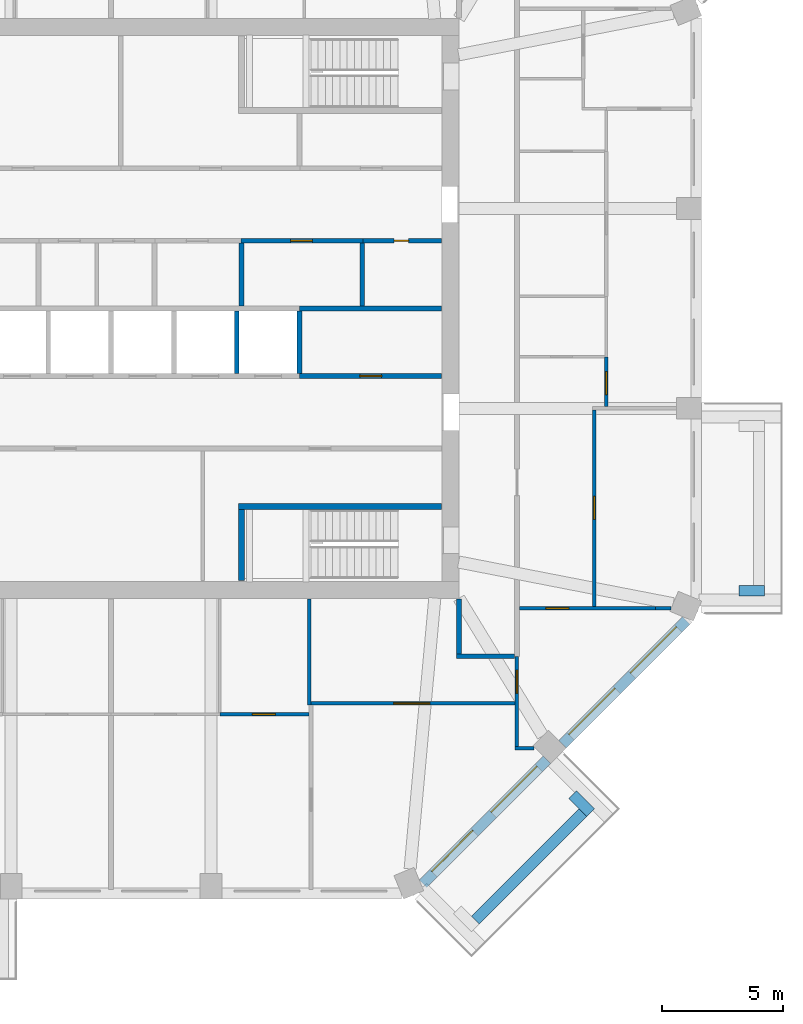
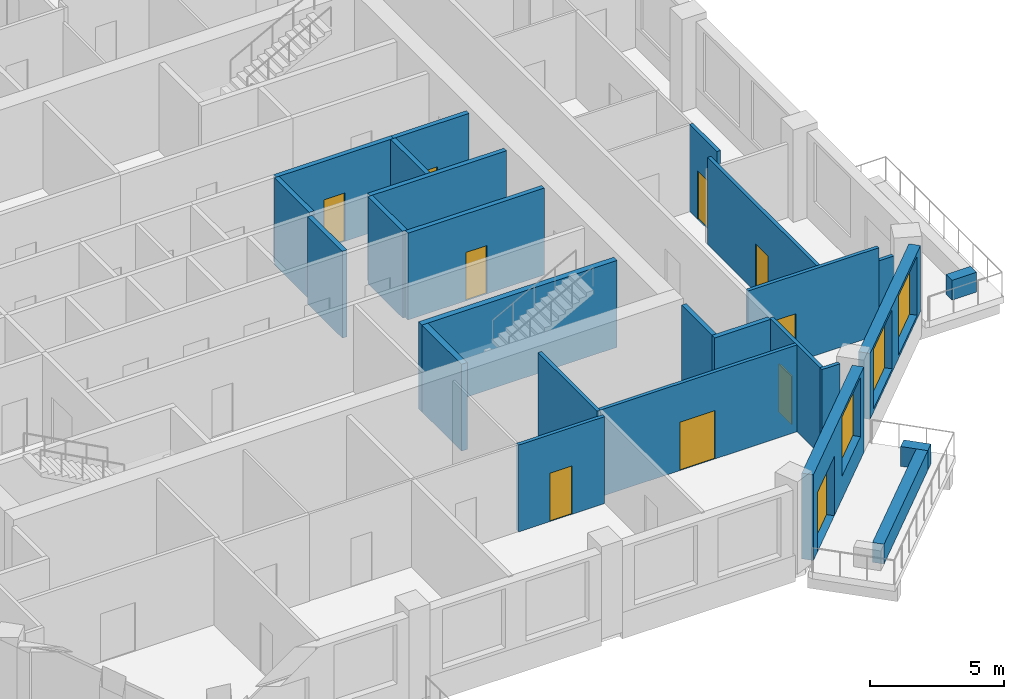
# One storey, part 5 of 10: 26 walls, 10 doors, 3 windows, 13 openings.
"""IFC4 building model written with IfcOpenShell, lengths in metres."""

from ifc_helpers import new_model, si_unit, direction, frame, frame_2d, origin, place, context, subcontext, project, spatial, rectangle, extrude, material, layer, layer_set, type_object, element, fill, save


model = new_model("IFC4")

# Units and contexts
model_context = context("Model", 3, precision=1e-05, world=origin(), true_north=direction((0.0, 1.0)))
body_context = subcontext(model_context, "Body", "Model", "MODEL_VIEW")
ifc_project = project(units=[si_unit("LENGTHUNIT", "METRE"), si_unit("AREAUNIT", "SQUARE_METRE"), si_unit("VOLUMEUNIT", "CUBIC_METRE"), si_unit("PLANEANGLEUNIT", "RADIAN"), si_unit("MASSUNIT", "GRAM", prefix="KILO")], contexts=[model_context])

# Site, building, storey
site_placement = place(None, origin())
site = spatial("IfcSite", under=ifc_project, at=site_placement, CompositionType="ELEMENT")
building_placement = place(site_placement, origin())
building = spatial("IfcBuilding", under=site, at=building_placement, Name="Msitu Wima Residences", CompositionType="ELEMENT")
storey_placement = place(building_placement, frame((0.0, 0.0, 191.699951171875)))
storey = spatial("IfcBuildingStorey", under=building, at=storey_placement, Name="L44", CompositionType="ELEMENT", Elevation=191.699951171875)

# Walls
ifc_material_1 = material(Name="Facing brick")
ifc_layer_1 = layer(ifc_material_1, 0.06494140625, Name="Facing brick")
ifc_material_2 = material(Name="Concrete C40/50", Category="concrete")
ifc_layer_2 = layer(ifc_material_2, 0.156005859375, Name="Concrete C40/50")
ifc_material_3 = material(Name="Waterproofing membrane")
ifc_layer_3 = layer(ifc_material_3, 0.00390625, Name="Waterproofing membrane")
ifc_material_4 = material(Name="Planting soil and planting")
ifc_layer_4 = layer(ifc_material_4, 0.22509765625, Name="Planting soil and planting")
ifc_layer_set_1 = layer_set([ifc_layer_1, ifc_layer_2, ifc_layer_3, ifc_layer_4], Name="Concrete C40/50")
wall_type_1 = type_object("IfcWallType", Name="Balcony planter PLANTER PL450", PredefinedType="USERDEFINED", material=ifc_layer_set_1)
wall_1_placement = place(storey_placement, frame((26.0, -11.686767578125, 0.0), z_axis=(0.0, 0.0, 1.0), x_axis=(1.0, 0.0, 0.0)))
element("IfcWall", 1, at=wall_1_placement, inside=storey, type_object=wall_type_1, Name="Balcony planter E0 L44", ObjectType="PLANTER", PredefinedType="USERDEFINED", context=body_context, shape_type="SweptSolid", body=[
    extrude(rectangle(XDim=1.050048828125, YDim=0.449951171875, at=frame_2d((0.52490234375, 0.0))), origin(), (0.0, 0.0, 1.0), 0.900146484375),
])
wall_2_placement = place(storey_placement, frame((15.0810546875, -25.325927734375, 0.0), z_axis=(0.0, 0.0, 1.0), x_axis=(0.707106781187, 0.707106781187, 0.0)))
element("IfcWall", 2, at=wall_2_placement, inside=storey, type_object=wall_type_1, Name="Balcony planter SE0 L44", ObjectType="PLANTER", PredefinedType="USERDEFINED", context=body_context, shape_type="SweptSolid", body=[
    extrude(rectangle(XDim=6.294189453125, YDim=0.449951171875, at=frame_2d((3.14697265625, 0.0))), origin(), (0.0, 0.0, 1.0), 0.900146484375),
])
wall_3_placement = place(storey_placement, frame((19.107421875, -20.1328125, 0.0), z_axis=(0.0, 0.0, 1.0), x_axis=(0.707106781187, -0.707106781187, 0.0)))
element("IfcWall", 3, at=wall_3_placement, inside=storey, type_object=wall_type_1, Name="Balcony planter SE0 L44", ObjectType="PLANTER", PredefinedType="USERDEFINED", context=body_context, shape_type="SweptSolid", body=[
    extrude(rectangle(XDim=1.050048828125, YDim=0.449951171875, at=frame_2d((0.52490234375, 0.0))), origin(), (0.0, 0.0, 1.0), 0.900146484375),
])

# Wall, openings, door, window
ifc_material_5 = material(Name="Brick (red buff mix)", Category="masonry")
ifc_layer_5 = layer(ifc_material_5, 0.449951171875)
ifc_layer_set_2 = layer_set([ifc_layer_5], Name="Brick (red buff mix)")
wall_type_2 = type_object("IfcWallType", Name="Brick infill wall BW450", PredefinedType="SOLIDWALL", material=ifc_layer_set_2)
wall_4_placement = place(storey_placement, frame((12.915283203125, -23.814697265625, 0.0), z_axis=(0.0, 0.0, 1.0), x_axis=(0.707106781187, 0.707106781187, 0.0)))
wall_4 = element("IfcWall", 4, at=wall_4_placement, inside=storey, type_object=wall_type_2, Name="Brick infill wall L44 SE0", PredefinedType="SOLIDWALL", context=body_context, shape_type="SweptSolid", body=[
    extrude(rectangle(XDim=7.257080078125, YDim=0.449951171875, at=frame_2d((3.62841796875, 0.0))), origin(), (0.0, 0.0, 1.0), 3.900146484375),
])
opening_1_placement = place(wall_4_placement, frame((0.6142578125, 0.0, 0.0)))
opening_1 = element("IfcOpeningElement", 5, at=opening_1_placement, cuts=wall_4, Name="Opening D43-45.006", PredefinedType="OPENING", context=body_context, shape_type="SweptSolid", body=[
    extrude(rectangle(XDim=2.39990234375, YDim=2.699951171875, at=frame_2d((1.199951171875, 1.35009765625))), frame((0.0, 0.23486328125, 0.0), z_axis=(0.0, -1.0, 0.0), x_axis=(1.0, 0.0, 0.0)), (0.0, 0.0, 1.0), 0.469970703125),
])
opening_2_placement = place(wall_4_placement, frame((4.07861328125, 0.0, 1.050048828125)))
opening_2 = element("IfcOpeningElement", 6, at=opening_2_placement, cuts=wall_4, Name="Opening W43-45.022", PredefinedType="OPENING", context=body_context, shape_type="SweptSolid", body=[
    extrude(rectangle(XDim=2.699951171875, YDim=2.699951171875, at=frame_2d((1.35009765625, 1.35009765625))), frame((0.0, 0.23486328125, 0.0), z_axis=(0.0, -1.0, 0.0), x_axis=(1.0, 0.0, 0.0)), (0.0, 0.0, 1.0), 0.469970703125),
])
ifc_material_6 = material(Name="Anodised aluminium, bronze finish, clear low-emissivity double glazing", Category="aluminium")
door_type_1 = type_object("IfcDoorType", Name="Balcony door D2400x2700", OperationType="SLIDING_TO_LEFT", PredefinedType="DOOR", material=ifc_material_6)
door_1_placement = place(opening_1_placement, origin())
door_1 = element("IfcDoor", 7, at=door_1_placement, inside=storey, type_object=door_type_1, Name="Balcony door L44 SE0", OperationType="SINGLE_SWING_LEFT", OverallHeight=2.699951171875, OverallWidth=2.39990234375, PredefinedType="DOOR", context=body_context, shape_type="SweptSolid", body=[
    extrude(rectangle(XDim=2.39990234375, YDim=2.699951171875, at=frame_2d((1.199951171875, 1.35009765625))), frame((0.0, 0.1298828125, 0.0), z_axis=(0.0, -1.0, 0.0), x_axis=(1.0, 0.0, 0.0)), (0.0, 0.0, 1.0), 0.050048828125),
])
fill(opening_1, door_1)
window_type = type_object("IfcWindowType", Name="Window W2700x2700", PartitioningType="DOUBLE_PANEL_VERTICAL", PredefinedType="WINDOW", material=ifc_material_6)
window_1_placement = place(opening_2_placement, origin())
window_1 = element("IfcWindow", 8, at=window_1_placement, inside=storey, type_object=window_type, Name="Window L44 SE0.2", OverallHeight=2.699951171875, OverallWidth=2.699951171875, PartitioningType="SINGLE_PANEL", PredefinedType="WINDOW", context=body_context, shape_type="SweptSolid", body=[
    extrude(rectangle(XDim=2.699951171875, YDim=2.699951171875, at=frame_2d((1.35009765625, 1.35009765625))), frame((0.0, 0.135009765625, 0.0), z_axis=(0.0, -1.0, 0.0), x_axis=(1.0, 0.0, 0.0)), (0.0, 0.0, 1.0), 0.06005859375),
])
fill(opening_2, window_1)

# Wall, openings, windows
wall_5_placement = place(storey_placement, frame((18.68310546875, -18.046875, 0.900146484375), z_axis=(0.0, 0.0, 1.0), x_axis=(0.707106781187, 0.707106781187, 0.0)))
wall_5 = element("IfcWall", 9, at=wall_5_placement, inside=storey, type_object=wall_type_2, Name="Brick infill wall L44 SE1", PredefinedType="SOLIDWALL", context=body_context, shape_type="SweptSolid", body=[
    extrude(rectangle(XDim=7.257080078125, YDim=0.449951171875, at=frame_2d((3.62841796875, 0.0))), origin(), (0.0, 0.0, 1.0), 3.0),
])
opening_3_placement = place(wall_5_placement, frame((0.478515625, 0.0, 0.14990234375)))
opening_3 = element("IfcOpeningElement", 10, at=opening_3_placement, cuts=wall_5, Name="Opening W43-45.023", PredefinedType="OPENING", context=body_context, shape_type="SweptSolid", body=[
    extrude(rectangle(XDim=2.699951171875, YDim=2.699951171875, at=frame_2d((1.35009765625, 1.35009765625))), frame((0.0, 0.23486328125, 0.0), z_axis=(0.0, -1.0, 0.0), x_axis=(1.0, 0.0, 0.0)), (0.0, 0.0, 1.0), 0.469970703125),
])
opening_4_placement = place(wall_5_placement, frame((4.07861328125, 0.0, 0.14990234375)))
opening_4 = element("IfcOpeningElement", 11, at=opening_4_placement, cuts=wall_5, Name="Opening W43-45.024", PredefinedType="OPENING", context=body_context, shape_type="SweptSolid", body=[
    extrude(rectangle(XDim=2.699951171875, YDim=2.699951171875, at=frame_2d((1.35009765625, 1.35009765625))), frame((0.0, 0.23486328125, 0.0), z_axis=(0.0, -1.0, 0.0), x_axis=(1.0, 0.0, 0.0)), (0.0, 0.0, 1.0), 0.469970703125),
])
window_2_placement = place(opening_3_placement, origin())
window_2 = element("IfcWindow", 12, at=window_2_placement, inside=storey, type_object=window_type, Name="Window L44 SE1.1", OverallHeight=2.699951171875, OverallWidth=2.699951171875, PartitioningType="SINGLE_PANEL", PredefinedType="WINDOW", context=body_context, shape_type="SweptSolid", body=[
    extrude(rectangle(XDim=2.699951171875, YDim=2.699951171875, at=frame_2d((1.35009765625, 1.35009765625))), frame((0.0, 0.135009765625, 0.0), z_axis=(0.0, -1.0, 0.0), x_axis=(1.0, 0.0, 0.0)), (0.0, 0.0, 1.0), 0.06005859375),
])
fill(opening_3, window_2)
window_3_placement = place(opening_4_placement, origin())
window_3 = element("IfcWindow", 13, at=window_3_placement, inside=storey, type_object=window_type, Name="Window L44 SE1.2", OverallHeight=2.699951171875, OverallWidth=2.699951171875, PartitioningType="SINGLE_PANEL", PredefinedType="WINDOW", context=body_context, shape_type="SweptSolid", body=[
    extrude(rectangle(XDim=2.699951171875, YDim=2.699951171875, at=frame_2d((1.35009765625, 1.35009765625))), frame((0.0, 0.135009765625, 0.0), z_axis=(0.0, -1.0, 0.0), x_axis=(1.0, 0.0, 0.0)), (0.0, 0.0, 1.0), 0.06005859375),
])
fill(opening_4, window_3)

# Wall, opening, door
ifc_material_7 = material(Name="Plaster")
ifc_layer_6 = layer(ifc_material_7, 0.011962890625, Name="Plaster")
ifc_material_8 = material(Name="Concrete blockwork", Category="masonry")
ifc_layer_7 = layer(ifc_material_8, 0.176025390625, Name="Concrete blockwork")
ifc_layer_8 = layer(ifc_material_7, 0.011962890625, Name="Plaster")
ifc_layer_set_3 = layer_set([ifc_layer_6, ifc_layer_7, ifc_layer_8], Name="Concrete blockwork")
wall_type_3 = type_object("IfcWallType", Name="Corridor wall FW200", PredefinedType="PARTITIONING", material=ifc_layer_set_3)
wall_6_placement = place(storey_placement, frame((5.3798828125, 2.800048828125, 0.0), z_axis=(0.0, 0.0, 1.0), x_axis=(1.0, 0.0, 0.0)))
wall_6 = element("IfcWall", 14, at=wall_6_placement, inside=storey, type_object=wall_type_3, Name="Corridor wall", PredefinedType="PARTITIONING", context=body_context, shape_type="SweptSolid", body=[
    extrude(rectangle(XDim=5.0400390625, YDim=0.199951171875, at=frame_2d((2.52001953125, 0.0))), origin(), (0.0, 0.0, 1.0), 3.949951171875),
])
opening_5_placement = place(wall_6_placement, frame((2.050048828125, 0.0, 0.0)))
opening_5 = element("IfcOpeningElement", 15, at=opening_5_placement, cuts=wall_6, Name="Opening D43-45.066", PredefinedType="OPENING", context=body_context, shape_type="SweptSolid", body=[
    extrude(rectangle(XDim=0.89990234375, YDim=2.199951171875, at=frame_2d((0.449951171875, 1.10009765625))), frame((0.0, 0.10986328125, 0.0), z_axis=(0.0, -1.0, 0.0), x_axis=(1.0, 0.0, 0.0)), (0.0, 0.0, 1.0), 0.219970703125),
])
ifc_material_9 = material(Name="Timber flush door", Category="wood")
door_type_2 = type_object("IfcDoorType", Name="Service door D05 900x2200", OperationType="SINGLE_SWING_LEFT", PredefinedType="DOOR", material=ifc_material_9)
door_2_placement = place(opening_5_placement, origin())
door_2 = element("IfcDoor", 16, at=door_2_placement, inside=storey, type_object=door_type_2, Name="Service door", OperationType="SINGLE_SWING_RIGHT", OverallHeight=2.199951171875, OverallWidth=0.89990234375, PredefinedType="DOOR", context=body_context, shape_type="SweptSolid", body=[
    extrude(rectangle(XDim=0.89990234375, YDim=2.199951171875, at=frame_2d((0.449951171875, 1.10009765625))), frame((0.0, 0.02490234375, 0.0), z_axis=(0.0, -1.0, 0.0), x_axis=(1.0, 0.0, 0.0)), (0.0, 0.0, 1.0), 0.050048828125),
])
fill(opening_5, door_2)

# Walls
wall_7_placement = place(storey_placement, frame((14.39990234375, -14.300048828125, 0.0), z_axis=(0.0, 0.0, 1.0), x_axis=(0.0, 1.0, 0.0)))
element("IfcWall", 17, at=wall_7_placement, inside=storey, type_object=wall_type_3, Name="Corridor wall", PredefinedType="PARTITIONING", context=body_context, shape_type="SweptSolid", body=[
    extrude(rectangle(XDim=2.27001953125, YDim=0.199951171875, at=frame_2d((1.135009765625, 0.0))), origin(), (0.0, 0.0, 1.0), 3.949951171875),
])
wall_8_placement = place(storey_placement, frame((14.300048828125, -14.39990234375, 0.0), z_axis=(0.0, 0.0, 1.0), x_axis=(1.0, 0.0, 0.0)))
element("IfcWall", 18, at=wall_8_placement, inside=storey, type_object=wall_type_3, Name="Corridor wall", PredefinedType="PARTITIONING", context=body_context, shape_type="SweptSolid", body=[
    extrude(rectangle(XDim=2.39990234375, YDim=0.199951171875, at=frame_2d((1.199951171875, 0.0))), origin(), (0.0, 0.0, 1.0), 3.949951171875),
])

# Wall, opening, door
ifc_layer_9 = layer(ifc_material_7, 0.011962890625, Name="Plaster")
ifc_layer_10 = layer(ifc_material_8, 0.1259765625, Name="Concrete blockwork")
ifc_layer_11 = layer(ifc_material_7, 0.011962890625, Name="Plaster")
ifc_layer_set_4 = layer_set([ifc_layer_9, ifc_layer_10, ifc_layer_11], Name="Concrete blockwork")
wall_type_4 = type_object("IfcWallType", Name="Partition PW150", PredefinedType="PARTITIONING", material=ifc_layer_set_4)
wall_9_placement = place(storey_placement, frame((4.5, -16.800048828125, 0.0), z_axis=(0.0, 0.0, 1.0), x_axis=(1.0, 0.0, 0.0)))
wall_9 = element("IfcWall", 19, at=wall_9_placement, inside=storey, type_object=wall_type_4, Name="Partition", PredefinedType="PARTITIONING", context=body_context, shape_type="SweptSolid", body=[
    extrude(rectangle(XDim=3.699462890625, YDim=0.14990234375, at=frame_2d((1.849609375, 0.0))), origin(), (0.0, 0.0, 1.0), 3.949951171875),
])
opening_6_placement = place(wall_9_placement, frame((1.35009765625, 0.0, 0.0)))
opening_6 = element("IfcOpeningElement", 20, at=opening_6_placement, cuts=wall_9, Name="Opening D43-45.017", PredefinedType="OPENING", context=body_context, shape_type="SweptSolid", body=[
    extrude(rectangle(XDim=0.949951171875, YDim=2.199951171875, at=frame_2d((0.47509765625, 1.10009765625))), frame((0.0, 0.0849609375, 0.0), z_axis=(0.0, -1.0, 0.0), x_axis=(1.0, 0.0, 0.0)), (0.0, 0.0, 1.0), 0.169921875),
])
door_type_3 = type_object("IfcDoorType", Name="Room door D12 950x2200", OperationType="SINGLE_SWING_LEFT", PredefinedType="DOOR", material=ifc_material_9)
door_3_placement = place(opening_6_placement, origin())
door_3 = element("IfcDoor", 21, at=door_3_placement, inside=storey, type_object=door_type_3, Name="Room door", OperationType="SINGLE_SWING_LEFT", OverallHeight=2.199951171875, OverallWidth=0.949951171875, PredefinedType="DOOR", context=body_context, shape_type="SweptSolid", body=[
    extrude(rectangle(XDim=0.949951171875, YDim=2.199951171875, at=frame_2d((0.47509765625, 1.10009765625))), frame((0.0, 0.02490234375, 0.0), z_axis=(0.0, -1.0, 0.0), x_axis=(1.0, 0.0, 0.0)), (0.0, 0.0, 1.0), 0.050048828125),
])
fill(opening_6, door_3)

# Wall
wall_10_placement = place(storey_placement, frame((8.199951171875, -16.425048828125, 0.0), z_axis=(0.0, 0.0, 1.0), x_axis=(0.0, 1.0, 0.0)))
element("IfcWall", 22, at=wall_10_placement, inside=storey, type_object=wall_type_4, Name="Partition", PredefinedType="PARTITIONING", context=body_context, shape_type="SweptSolid", body=[
    extrude(rectangle(XDim=4.39501953125, YDim=0.14990234375, at=frame_2d((2.197509765625, 0.0))), origin(), (0.0, 0.0, 1.0), 3.949951171875),
])

# Wall, opening, door
wall_11_placement = place(storey_placement, frame((8.199462890625, -16.35009765625, 0.0), z_axis=(0.0, 0.0, 1.0), x_axis=(1.0, 0.0, 0.0)))
wall_11 = element("IfcWall", 23, at=wall_11_placement, inside=storey, type_object=wall_type_4, Name="Partition", PredefinedType="PARTITIONING", context=body_context, shape_type="SweptSolid", body=[
    extrude(rectangle(XDim=8.525634765625, YDim=0.14990234375, at=frame_2d((4.2626953125, 0.0))), origin(), (0.0, 0.0, 1.0), 3.949951171875),
])
opening_7_placement = place(wall_11_placement, frame((3.5, 0.0, 0.0)))
opening_7 = element("IfcOpeningElement", 24, at=opening_7_placement, cuts=wall_11, Name="Opening D43-45.027", PredefinedType="OPENING", context=body_context, shape_type="SweptSolid", body=[
    extrude(rectangle(XDim=1.5, YDim=2.199951171875, at=frame_2d((0.75, 1.10009765625))), frame((0.0, 0.0849609375, 0.0), z_axis=(0.0, -1.0, 0.0), x_axis=(1.0, 0.0, 0.0)), (0.0, 0.0, 1.0), 0.169921875),
])
ifc_material_10 = material(Name="Timber double door", Category="wood")
door_type_4 = type_object("IfcDoorType", Name="Double door D04 1500x2200", OperationType="DOUBLE_DOOR_SINGLE_SWING", PredefinedType="DOOR", material=ifc_material_10)
door_4_placement = place(opening_7_placement, origin())
door_4 = element("IfcDoor", 25, at=door_4_placement, inside=storey, type_object=door_type_4, Name="Double door", OperationType="DOUBLE_DOOR_SINGLE_SWING", OverallHeight=2.199951171875, OverallWidth=1.5, PredefinedType="DOOR", context=body_context, shape_type="SweptSolid", body=[
    extrude(rectangle(XDim=1.5, YDim=2.199951171875, at=frame_2d((0.75, 1.10009765625))), frame((0.0, 0.02490234375, 0.0), z_axis=(0.0, -1.0, 0.0), x_axis=(1.0, 0.0, 0.0)), (0.0, 0.0, 1.0), 0.050048828125),
])
fill(opening_7, door_4)

wall_12_placement = place(storey_placement, frame((16.800048828125, -18.130859375, 0.0), z_axis=(0.0, 0.0, 1.0), x_axis=(0.0, 1.0, 0.0)))
wall_12 = element("IfcWall", 26, at=wall_12_placement, inside=storey, type_object=wall_type_4, Name="Partition", PredefinedType="PARTITIONING", context=body_context, shape_type="SweptSolid", body=[
    extrude(rectangle(XDim=3.73095703125, YDim=0.14990234375, at=frame_2d((1.865478515625, 0.0))), origin(), (0.0, 0.0, 1.0), 3.949951171875),
])
opening_8_placement = place(wall_12_placement, frame((2.199951171875, 0.0, 0.0)))
opening_8 = element("IfcOpeningElement", 27, at=opening_8_placement, cuts=wall_12, Name="Opening D43-45.026", PredefinedType="OPENING", context=body_context, shape_type="SweptSolid", body=[
    extrude(rectangle(XDim=0.949951171875, YDim=2.199951171875, at=frame_2d((0.47509765625, 1.10009765625))), frame((0.0, 0.0849609375, 0.0), z_axis=(0.0, -1.0, 0.0), x_axis=(1.0, 0.0, 0.0)), (0.0, 0.0, 1.0), 0.169921875),
])
door_5_placement = place(opening_8_placement, origin())
door_5 = element("IfcDoor", 28, at=door_5_placement, inside=storey, type_object=door_type_3, Name="Room door", OperationType="SINGLE_SWING_LEFT", OverallHeight=2.199951171875, OverallWidth=0.949951171875, PredefinedType="DOOR", context=body_context, shape_type="SweptSolid", body=[
    extrude(rectangle(XDim=0.949951171875, YDim=2.199951171875, at=frame_2d((0.47509765625, 1.10009765625))), frame((0.0, 0.02490234375, 0.0), z_axis=(0.0, -1.0, 0.0), x_axis=(1.0, 0.0, 0.0)), (0.0, 0.0, 1.0), 0.050048828125),
])
fill(opening_8, door_5)

# Wall
wall_13_placement = place(storey_placement, frame((16.72509765625, -18.205810546875, 0.0), z_axis=(0.0, 0.0, 1.0), x_axis=(1.0, 0.0, 0.0)))
element("IfcWall", 29, at=wall_13_placement, inside=storey, type_object=wall_type_4, Name="Partition", PredefinedType="PARTITIONING", context=body_context, shape_type="SweptSolid", body=[
    extrude(rectangle(XDim=0.784423828125, YDim=0.14990234375, at=frame_2d((0.39208984375, 0.0))), origin(), (0.0, 0.0, 1.0), 3.949951171875),
])

# Wall, opening, door
wall_14_placement = place(storey_placement, frame((16.89990234375, -12.409912109375, 0.0), z_axis=(0.0, 0.0, 1.0), x_axis=(1.0, 0.0, 0.0)))
wall_14 = element("IfcWall", 30, at=wall_14_placement, inside=storey, type_object=wall_type_4, Name="Partition", PredefinedType="PARTITIONING", context=body_context, shape_type="SweptSolid", body=[
    extrude(rectangle(XDim=5.62939453125, YDim=0.14990234375, at=frame_2d((2.814697265625, 0.0))), origin(), (0.0, 0.0, 1.0), 3.949951171875),
])
opening_9_placement = place(wall_14_placement, frame((1.10009765625, 0.0, 0.0)))
opening_9 = element("IfcOpeningElement", 31, at=opening_9_placement, cuts=wall_14, Name="Opening D43-45.009", PredefinedType="OPENING", context=body_context, shape_type="SweptSolid", body=[
    extrude(rectangle(XDim=0.949951171875, YDim=2.199951171875, at=frame_2d((0.47509765625, 1.10009765625))), frame((0.0, 0.0849609375, 0.0), z_axis=(0.0, -1.0, 0.0), x_axis=(1.0, 0.0, 0.0)), (0.0, 0.0, 1.0), 0.169921875),
])
door_6_placement = place(opening_9_placement, origin())
door_6 = element("IfcDoor", 32, at=door_6_placement, inside=storey, type_object=door_type_3, Name="Room door", OperationType="SINGLE_SWING_RIGHT", OverallHeight=2.199951171875, OverallWidth=0.949951171875, PredefinedType="DOOR", context=body_context, shape_type="SweptSolid", body=[
    extrude(rectangle(XDim=0.949951171875, YDim=2.199951171875, at=frame_2d((0.47509765625, 1.10009765625))), frame((0.0, 0.02490234375, 0.0), z_axis=(0.0, -1.0, 0.0), x_axis=(1.0, 0.0, 0.0)), (0.0, 0.0, 1.0), 0.050048828125),
])
fill(opening_9, door_6)

# Wall
wall_15_placement = place(storey_placement, frame((22.529296875, -12.409912109375, 0.0), z_axis=(0.0, 0.0, 1.0), x_axis=(1.0, 0.0, 0.0)))
element("IfcWall", 33, at=wall_15_placement, inside=storey, type_object=wall_type_4, Name="Partition", PredefinedType="PARTITIONING", context=body_context, shape_type="SweptSolid", body=[
    extrude(rectangle(XDim=0.640380859375, YDim=0.14990234375, at=frame_2d((0.3203125, 0.0))), origin(), (0.0, 0.0, 1.0), 3.35009765625),
])

# Wall, opening, door
wall_16_placement = place(storey_placement, frame((20.0, -12.3349609375, 0.0), z_axis=(0.0, 0.0, 1.0), x_axis=(0.0, 1.0, 0.0)))
wall_16 = element("IfcWall", 34, at=wall_16_placement, inside=storey, type_object=wall_type_4, Name="Partition", PredefinedType="PARTITIONING", context=body_context, shape_type="SweptSolid", body=[
    extrude(rectangle(XDim=8.119873046875, YDim=0.14990234375, at=frame_2d((4.06005859375, 0.0))), origin(), (0.0, 0.0, 1.0), 3.949951171875),
])
opening_10_placement = place(wall_16_placement, frame((3.60009765625, 0.0, 0.0)))
opening_10 = element("IfcOpeningElement", 35, at=opening_10_placement, cuts=wall_16, Name="Opening D43-45.022", PredefinedType="OPENING", context=body_context, shape_type="SweptSolid", body=[
    extrude(rectangle(XDim=0.949951171875, YDim=2.199951171875, at=frame_2d((0.47509765625, 1.10009765625))), frame((0.0, 0.0849609375, 0.0), z_axis=(0.0, -1.0, 0.0), x_axis=(1.0, 0.0, 0.0)), (0.0, 0.0, 1.0), 0.169921875),
])
door_7_placement = place(opening_10_placement, origin())
door_7 = element("IfcDoor", 36, at=door_7_placement, inside=storey, type_object=door_type_3, Name="Room door", OperationType="SINGLE_SWING_LEFT", OverallHeight=2.199951171875, OverallWidth=0.949951171875, PredefinedType="DOOR", context=body_context, shape_type="SweptSolid", body=[
    extrude(rectangle(XDim=0.949951171875, YDim=2.199951171875, at=frame_2d((0.47509765625, 1.10009765625))), frame((0.0, 0.02490234375, 0.0), z_axis=(0.0, -1.0, 0.0), x_axis=(1.0, 0.0, 0.0)), (0.0, 0.0, 1.0), 0.050048828125),
])
fill(opening_10, door_7)

wall_17_placement = place(storey_placement, frame((20.5, -4.06494140625, 0.0), z_axis=(0.0, 0.0, 1.0), x_axis=(0.0, 1.0, 0.0)))
wall_17 = element("IfcWall", 37, at=wall_17_placement, inside=storey, type_object=wall_type_4, Name="Partition", PredefinedType="PARTITIONING", context=body_context, shape_type="SweptSolid", body=[
    extrude(rectangle(XDim=2.044921875, YDim=0.14990234375, at=frame_2d((1.0224609375, 0.0))), origin(), (0.0, 0.0, 1.0), 3.949951171875),
])
opening_11_placement = place(wall_17_placement, frame((0.5, 0.0, 0.0)))
opening_11 = element("IfcOpeningElement", 38, at=opening_11_placement, cuts=wall_17, Name="Opening D43-45.023", PredefinedType="OPENING", context=body_context, shape_type="SweptSolid", body=[
    extrude(rectangle(XDim=0.949951171875, YDim=2.199951171875, at=frame_2d((0.47509765625, 1.10009765625))), frame((0.0, 0.0849609375, 0.0), z_axis=(0.0, -1.0, 0.0), x_axis=(1.0, 0.0, 0.0)), (0.0, 0.0, 1.0), 0.169921875),
])
door_8_placement = place(opening_11_placement, origin())
door_8 = element("IfcDoor", 39, at=door_8_placement, inside=storey, type_object=door_type_3, Name="Room door", OperationType="SINGLE_SWING_RIGHT", OverallHeight=2.199951171875, OverallWidth=0.949951171875, PredefinedType="DOOR", context=body_context, shape_type="SweptSolid", body=[
    extrude(rectangle(XDim=0.949951171875, YDim=2.199951171875, at=frame_2d((0.47509765625, 1.10009765625))), frame((0.0, 0.02490234375, 0.0), z_axis=(0.0, -1.0, 0.0), x_axis=(1.0, 0.0, 0.0)), (0.0, 0.0, 1.0), 0.050048828125),
])
fill(opening_11, door_8)

# Wall
ifc_layer_12 = layer(ifc_material_7, 0.011962890625, Name="Plaster")
ifc_material_11 = material(Name="Reinforced concrete blockwork", Category="masonry")
ifc_layer_13 = layer(ifc_material_11, 0.176025390625, Name="Reinforced concrete blockwork")
ifc_layer_14 = layer(ifc_material_7, 0.011962890625, Name="Plaster")
ifc_layer_set_5 = layer_set([ifc_layer_12, ifc_layer_13, ifc_layer_14], Name="Reinforced concrete blockwork")
wall_type_5 = type_object("IfcWallType", Name="Plant and riser wall PL200", PredefinedType="PARTITIONING", material=ifc_layer_set_5)
wall_18_placement = place(storey_placement, frame((5.39990234375, 0.10009765625, 0.0), z_axis=(0.0, 0.0, 1.0), x_axis=(0.0, 1.0, 0.0)))
element("IfcWall", 40, at=wall_18_placement, inside=storey, type_object=wall_type_5, Name="Plant and riser wall", PredefinedType="PARTITIONING", context=body_context, shape_type="SweptSolid", body=[
    extrude(rectangle(XDim=2.599853515625, YDim=0.199951171875, at=frame_2d((1.2998046875, 0.0))), origin(), (0.0, 0.0, 1.0), 3.949951171875),
])

# Wall, opening, door
wall_19_placement = place(storey_placement, frame((7.800048828125, -2.800048828125, 0.0), z_axis=(0.0, 0.0, 1.0), x_axis=(1.0, 0.0, 0.0)))
wall_19 = element("IfcWall", 41, at=wall_19_placement, inside=storey, type_object=wall_type_5, Name="Plant and riser wall", PredefinedType="PARTITIONING", context=body_context, shape_type="SweptSolid", body=[
    extrude(rectangle(XDim=5.869873046875, YDim=0.199951171875, at=frame_2d((2.93505859375, 0.0))), origin(), (0.0, 0.0, 1.0), 3.949951171875),
])
opening_12_placement = place(wall_19_placement, frame((2.5, 0.0, 0.0)))
opening_12 = element("IfcOpeningElement", 42, at=opening_12_placement, cuts=wall_19, Name="Opening D43-45.050", PredefinedType="OPENING", context=body_context, shape_type="SweptSolid", body=[
    extrude(rectangle(XDim=0.89990234375, YDim=2.199951171875, at=frame_2d((0.449951171875, 1.10009765625))), frame((0.0, 0.10986328125, 0.0), z_axis=(0.0, -1.0, 0.0), x_axis=(1.0, 0.0, 0.0)), (0.0, 0.0, 1.0), 0.219970703125),
])
door_9_placement = place(opening_12_placement, origin())
door_9 = element("IfcDoor", 43, at=door_9_placement, inside=storey, type_object=door_type_2, Name="Service door", OperationType="SINGLE_SWING_LEFT", OverallHeight=2.199951171875, OverallWidth=0.89990234375, PredefinedType="DOOR", context=body_context, shape_type="SweptSolid", body=[
    extrude(rectangle(XDim=0.89990234375, YDim=2.199951171875, at=frame_2d((0.449951171875, 1.10009765625))), frame((0.0, 0.02490234375, 0.0), z_axis=(0.0, -1.0, 0.0), x_axis=(1.0, 0.0, 0.0)), (0.0, 0.0, 1.0), 0.050048828125),
])
fill(opening_12, door_9)

# Wall
wall_20_placement = place(storey_placement, frame((7.800048828125, 0.0, 0.0), z_axis=(0.0, 0.0, 1.0), x_axis=(1.0, 0.0, 0.0)))
element("IfcWall", 44, at=wall_20_placement, inside=storey, type_object=wall_type_5, Name="Plant and riser wall", PredefinedType="PARTITIONING", context=body_context, shape_type="SweptSolid", body=[
    extrude(rectangle(XDim=5.869873046875, YDim=0.199951171875, at=frame_2d((2.93505859375, 0.0))), origin(), (0.0, 0.0, 1.0), 3.949951171875),
])

# Wall, opening, door
wall_21_placement = place(storey_placement, frame((10.419921875, 2.800048828125, 0.0), z_axis=(0.0, 0.0, 1.0), x_axis=(1.0, 0.0, 0.0)))
wall_21 = element("IfcWall", 45, at=wall_21_placement, inside=storey, type_object=wall_type_5, Name="Plant and riser wall", PredefinedType="PARTITIONING", context=body_context, shape_type="SweptSolid", body=[
    extrude(rectangle(XDim=3.25, YDim=0.199951171875, at=frame_2d((1.625, 0.0))), origin(), (0.0, 0.0, 1.0), 3.949951171875),
])
opening_13_placement = place(wall_21_placement, frame((1.300048828125, 0.0, 0.0)))
opening_13 = element("IfcOpeningElement", 46, at=opening_13_placement, cuts=wall_21, Name="Opening D43-45.067", PredefinedType="OPENING", context=body_context, shape_type="SweptSolid", body=[
    extrude(rectangle(XDim=0.60009765625, YDim=2.0, at=frame_2d((0.300048828125, 1.0))), frame((0.0, 0.10986328125, 0.0), z_axis=(0.0, -1.0, 0.0), x_axis=(1.0, 0.0, 0.0)), (0.0, 0.0, 1.0), 0.219970703125),
])
ifc_material_12 = material(Name="Steel access door, fire resisting", Category="steel")
door_type_5 = type_object("IfcDoorType", Name="Riser access door D08 600x2000", OperationType="SINGLE_SWING_LEFT", PredefinedType="DOOR", material=ifc_material_12)
door_10_placement = place(opening_13_placement, origin())
door_10 = element("IfcDoor", 47, at=door_10_placement, inside=storey, type_object=door_type_5, Name="Riser access door", OperationType="SINGLE_SWING_RIGHT", OverallHeight=2.0, OverallWidth=0.60009765625, PredefinedType="DOOR", context=body_context, shape_type="SweptSolid", body=[
    extrude(rectangle(XDim=0.60009765625, YDim=2.0, at=frame_2d((0.300048828125, 1.0))), frame((0.0, 0.02490234375, 0.0), z_axis=(0.0, -1.0, 0.0), x_axis=(1.0, 0.0, 0.0)), (0.0, 0.0, 1.0), 0.050048828125),
])
fill(opening_13, door_10)

# Walls
wall_22_placement = place(storey_placement, frame((10.39990234375, 0.10009765625, 0.0), z_axis=(0.0, 0.0, 1.0), x_axis=(0.0, 1.0, 0.0)))
element("IfcWall", 48, at=wall_22_placement, inside=storey, type_object=wall_type_5, Name="Plant and riser wall", PredefinedType="PARTITIONING", context=body_context, shape_type="SweptSolid", body=[
    extrude(rectangle(XDim=2.599853515625, YDim=0.199951171875, at=frame_2d((1.2998046875, 0.0))), origin(), (0.0, 0.0, 1.0), 3.949951171875),
])
ifc_material_13 = material(Name="Fire-rated board")
ifc_layer_15 = layer(ifc_material_13, 0.02490234375, Name="Fire-rated board")
ifc_material_14 = material(Name="Light-gauge stud framing with mineral wool")
ifc_layer_16 = layer(ifc_material_14, 0.14990234375, Name="Light-gauge stud framing with mineral wool")
ifc_layer_17 = layer(ifc_material_13, 0.02490234375, Name="Fire-rated board")
ifc_layer_set_6 = layer_set([ifc_layer_15, ifc_layer_16, ifc_layer_17], Name="Light-gauge stud framing with mineral wool")
wall_type_6 = type_object("IfcWallType", Name="Shaft wall SH200", PredefinedType="PARTITIONING", material=ifc_layer_set_6)
for number, where, z_axis, x_axis, name in (
    (49, (5.199951171875, -2.699951171875, 0.0), (0.0, 0.0, 1.0), (0.0, 1.0, 0.0), "Shaft wall"),
    (50, (7.800048828125, -2.699951171875, 0.0), (0.0, 0.0, 1.0), (0.0, 1.0, 0.0), "Shaft wall"),
):
    element("IfcWall", number, at=place(storey_placement, frame(where, z_axis=z_axis, x_axis=x_axis)), inside=storey, type_object=wall_type_6, Name=name, PredefinedType="PARTITIONING", context=body_context, shape_type="SweptSolid", body=[
        extrude(rectangle(XDim=2.599853515625, YDim=0.199951171875, at=frame_2d((1.2998046875, 0.0))), origin(), (0.0, 0.0, 1.0), 3.949951171875),
    ])
ifc_material_15 = material(Name="Concrete C50/60", Category="concrete")
ifc_layer_18 = layer(ifc_material_15, 0.25)
ifc_layer_set_7 = layer_set([ifc_layer_18], Name="Concrete C50/60")
wall_type_7 = type_object("IfcWallType", Name="Stair enclosure wall SW250", PredefinedType="SHEAR", material=ifc_layer_set_7)
wall_23_placement = place(storey_placement, frame((5.39990234375, -11.27001953125, 0.0), z_axis=(0.0, 0.0, 1.0), x_axis=(0.0, 1.0, 0.0)))
element("IfcWall", 51, at=wall_23_placement, inside=storey, type_object=wall_type_7, Name="Stair enclosure wall", PredefinedType="SHEAR", context=body_context, shape_type="SweptSolid", body=[
    extrude(rectangle(XDim=2.945068359375, YDim=0.25, at=frame_2d((1.47265625, 0.0))), origin(), (0.0, 0.0, 1.0), 3.949951171875),
])
wall_24_placement = place(storey_placement, frame((5.27490234375, -8.199951171875, 0.0), z_axis=(0.0, 0.0, 1.0), x_axis=(1.0, 0.0, 0.0)))
element("IfcWall", 52, at=wall_24_placement, inside=storey, type_object=wall_type_7, Name="Stair enclosure wall", PredefinedType="SHEAR", context=body_context, shape_type="SweptSolid", body=[
    extrude(rectangle(XDim=8.39501953125, YDim=0.25, at=frame_2d((4.197509765625, 0.0))), origin(), (0.0, 0.0, 1.0), 3.949951171875),
])

save(model, "model.ifc")
